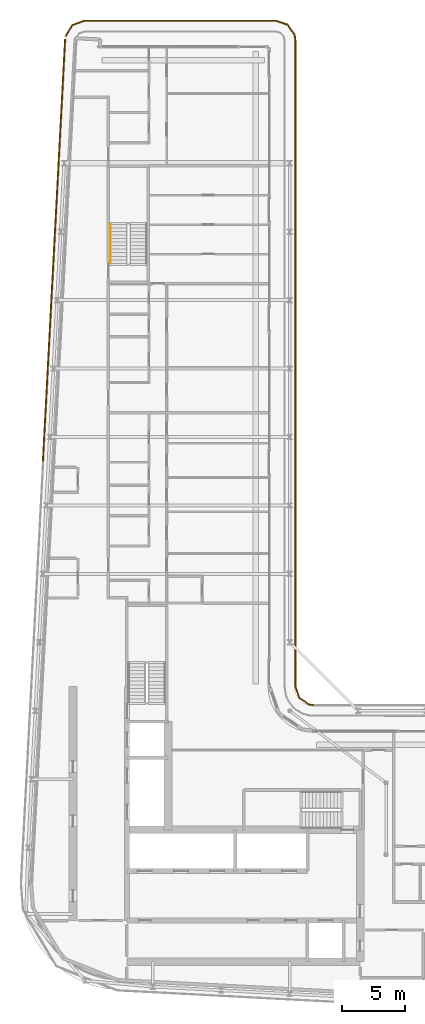
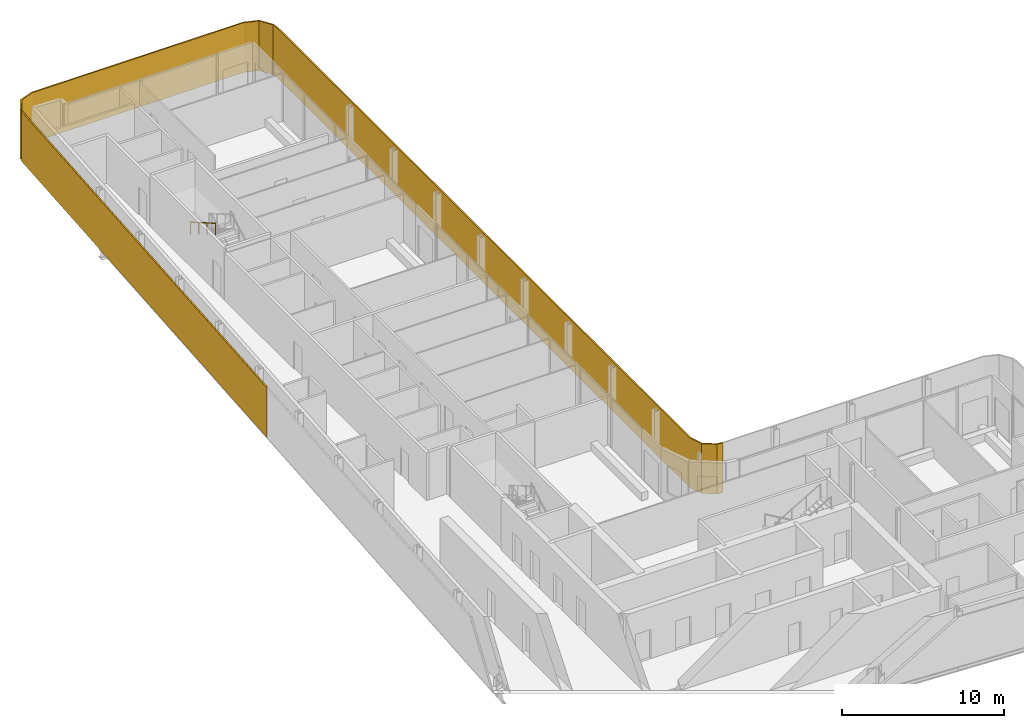
# One storey, part 19 of 21: 2 shading devices, 1 railing.
"""IFC4 building model written with IfcOpenShell, lengths in metres."""

from ifc_helpers import new_model, si_unit, direction, frame, origin, origin_2d, place, context, subcontext, project, spatial, polyline, rectangle, circle, outline, extrude, material, layer, layer_set, type_object, element, save


model = new_model("IFC4")

# Units and contexts
model_context = context("Model", 3, precision=1e-05, world=origin(), true_north=direction((0.0, 1.0)))
body_context = subcontext(model_context, "Body", "Model", "MODEL_VIEW")
ifc_project = project(units=[si_unit("LENGTHUNIT", "METRE"), si_unit("AREAUNIT", "SQUARE_METRE"), si_unit("VOLUMEUNIT", "CUBIC_METRE"), si_unit("PLANEANGLEUNIT", "RADIAN"), si_unit("MASSUNIT", "GRAM", prefix="KILO")], contexts=[model_context])

# Site, building, storey
site_placement = place(None, origin())
site = spatial("IfcSite", under=ifc_project, at=site_placement, CompositionType="ELEMENT")
building_placement = place(site_placement, origin())
building = spatial("IfcBuilding", under=site, at=building_placement, Name="Kheshtan School and Residences Tower", CompositionType="ELEMENT")
storey_placement = place(building_placement, frame((0.0, 0.0, 309.800048828125)))
storey = spatial("IfcBuildingStorey", under=building, at=storey_placement, Name="L73", CompositionType="ELEMENT", Elevation=309.800048828125)

# Shading devices
ifc_material_1 = material(Name="Terracotta baguette, extruded ceramic", Category="masonry")
ifc_layer_1 = layer(ifc_material_1, 0.10009765625)
ifc_layer_set_1 = layer_set([ifc_layer_1], Name="Ledge screen, terracotta baguettes")
shading_device_type_1 = type_object("IfcShadingDeviceType", Name="Ledge screen, terracotta baguettes", PredefinedType="USERDEFINED", material=ifc_layer_set_1)
shading_device_1_placement = place(storey_placement, frame((28.9990234375, 81.93408203125, 0.0), z_axis=(0.0, 0.0, 1.0), x_axis=(0.052562536748, 0.998617634398, 0.0)))
element("IfcShadingDevice", 1, at=shading_device_1_placement, inside=storey, type_object=shading_device_type_1, Name="Screen L73 5", ObjectType="BAGUETTE", PredefinedType="USERDEFINED", context=body_context, shape_type="SweptSolid", body=[
    extrude(rectangle(XDim=33.341064453125, YDim=0.10009765625, at=origin_2d()), origin(), (0.0, 0.0, 1.0), 3.75),
])
ifc_material_2 = material(Name="Terracotta lattice, extruded ceramic", Category="masonry")
ifc_layer_2 = layer(ifc_material_2, 0.10009765625)
ifc_layer_set_2 = layer_set([ifc_layer_2], Name="Loggia screen, terracotta lattice")
shading_device_type_2 = type_object("IfcShadingDeviceType", Name="Loggia screen, terracotta lattice", PredefinedType="USERDEFINED", material=ifc_layer_set_2)
shading_device_2_placement = place(storey_placement, origin())
element("IfcShadingDevice", 2, at=shading_device_2_placement, inside=storey, type_object=shading_device_type_2, Name="Screen L73 1", ObjectType="SCREEN", PredefinedType="USERDEFINED", context=body_context, shape_type="SweptSolid", body=[
    extrude(outline(polyline([(29.949951171875, 98.783935546875), (30.468017578125, 99.656982421875), (31.423095703125, 100.0), (46.5, 100.0), (47.4130859375, 99.68994140625), (47.948974609375, 98.887939453125), (48.0, 98.5), (48.0, 47.5), (48.31005859375, 46.5869140625), (49.112060546875, 46.051025390625), (49.5, 46.0), (49.512939453125, 46.09912109375), (49.14794921875, 46.14697265625), (48.39404296875, 46.65087890625), (48.10009765625, 47.51708984375), (48.10009765625, 98.507080078125), (48.044921875, 98.924072265625), (47.47705078125, 99.77392578125), (46.51708984375, 100.10009765625), (31.406005859375, 100.10009765625), (30.39990234375, 99.739013671875), (29.864013671875, 98.8349609375), (29.949951171875, 98.783935546875)])), origin(), (0.0, 0.0, 1.0), 3.75),
])

# Railing
ifc_material_3 = material(Name="Stainless steel handrail", Category="steel")
railing_type = type_object("IfcRailingType", Name="Stair handrail 900", PredefinedType="HANDRAIL", material=ifc_material_3)
railing_placement = place(storey_placement, frame((33.449951171875, 83.97998046875, 2.112548828125)))
element("IfcRailing", 3, at=railing_placement, inside=storey, type_object=railing_type, Name="L73 ST3 stair handrail 2", PredefinedType="HANDRAIL", context=body_context, shape_type="SweptSolid", body=[
    extrude(circle(Radius=0.02392578125, at=origin_2d()), frame((0.0, 0.0, 0.8759765625), z_axis=(0.0, -0.864920483161, 0.501908913857), x_axis=(1.0, 0.0, 0.0)), (0.0, 0.0, 1.0), 3.56103515625),
    extrude(circle(Radius=0.02099609375, at=origin_2d()), origin(), (0.0, 0.0, 1.0), 0.851806640625),
    extrude(circle(Radius=0.02099609375, at=origin_2d()), frame((0.0, -1.026611328125, 0.595703125)), (0.0, 0.0, 1.0), 0.851806640625),
    extrude(circle(Radius=0.02099609375, at=origin_2d()), frame((0.0, -2.053466796875, 1.191650390625)), (0.0, 0.0, 1.0), 0.851806640625),
    extrude(circle(Radius=0.02099609375, at=origin_2d()), frame((0.0, -3.080078125, 1.787353515625)), (0.0, 0.0, 1.0), 0.851806640625),
])

save(model, "model.ifc")
